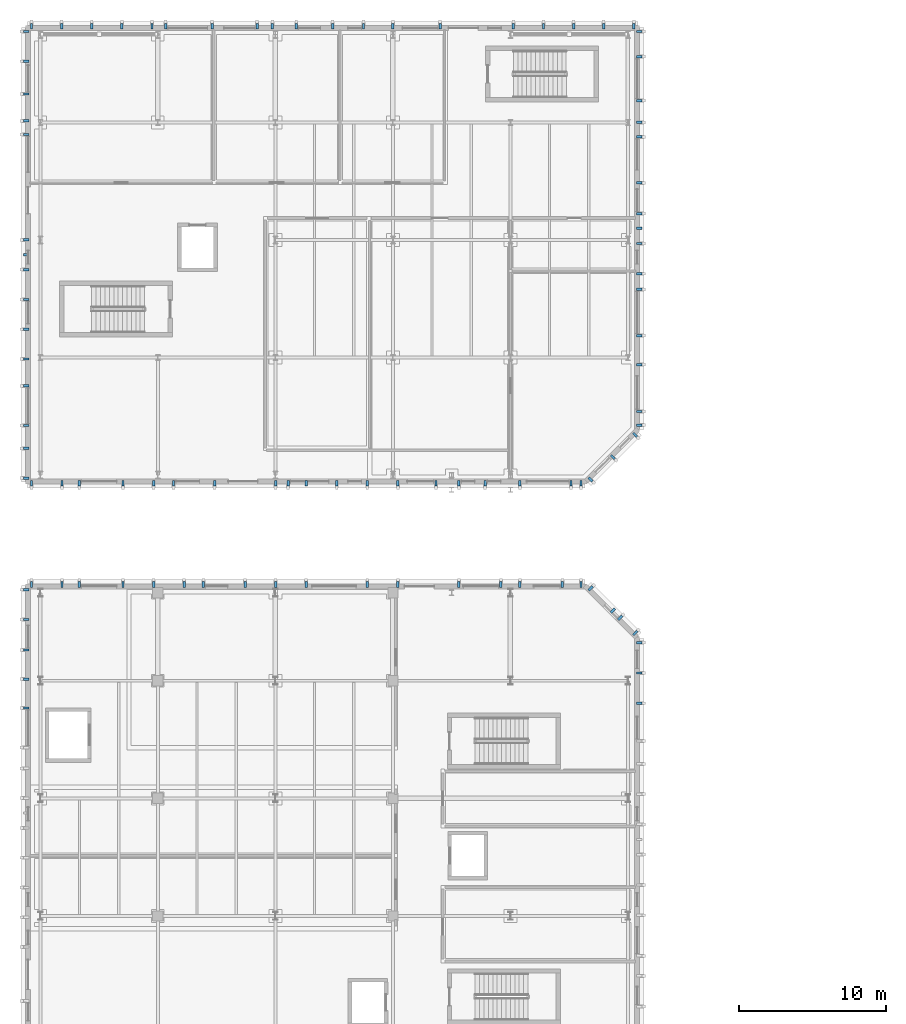
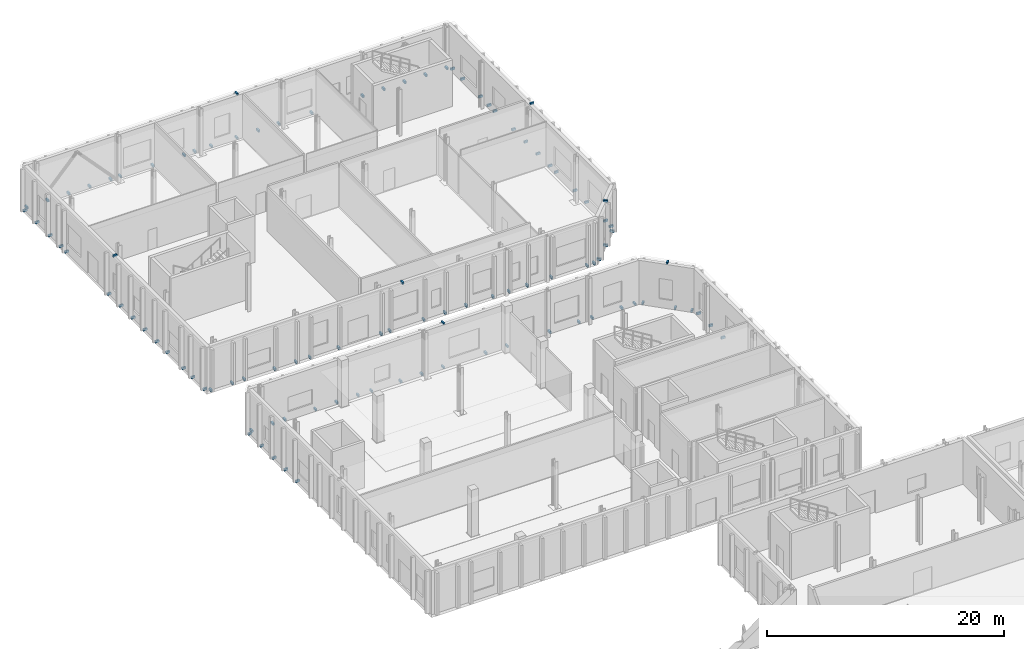
# One storey, part 38 of 60: 103 discrete accessories.
"""IFC4 building model written with IfcOpenShell, lengths in metres."""

import ifcopenshell
import ifcopenshell.guid

model = None  # the IFC model being written
_history = None  # IfcOwnerHistory: only IFC2X3 demands one
_inside = {}  # id of a spatial element -> (the spatial element, [elements in it])
_under = {}  # id of a project, library or spatial element -> (it, [spatial elements below it])
_declared = {}  # id of a project -> (the project, [libraries it declares])
_typed = {}  # id of a type object -> (the type object, [elements of that type])
_made_of = {}  # id of a material, layer set ... -> (it, [elements and type objects made of it])


def new_model(schema):
    """Start an empty IFC model of exactly this schema.

    Asked for "IFC4X3", IfcOpenShell would pick the latest addendum, in which some entities
    have other attributes; the version numbers below select the first issue.
    IFC2X3 requires an IfcOwnerHistory on every rooted entity: one is made here for all.
    """
    global model, _history
    if schema == "IFC4X3":
        model = ifcopenshell.file(schema_version=(4, 3, 0, 0))
    else:
        model = ifcopenshell.file(schema=schema)
    _inside.clear()
    _under.clear()
    _declared.clear()
    _typed.clear()
    _made_of.clear()
    _history = None
    if model.schema == "IFC2X3":
        org = make("IfcOrganization", Name="unknown")
        user = make(
            "IfcPersonAndOrganization",
            ThePerson=make("IfcPerson", FamilyName="unknown"),
            TheOrganization=org,
        )
        app = make(
            "IfcApplication",
            ApplicationDeveloper=org,
            Version="unknown",
            ApplicationFullName="unknown",
            ApplicationIdentifier="unknown",
        )
        _history = make(
            "IfcOwnerHistory",
            OwningUser=user,
            OwningApplication=app,
            ChangeAction="ADDED",
            CreationDate=0,
        )
    return model


def make(cls, **values):
    """One entity of the class cls with the attributes given. An attribute that is None is left unset."""
    return model.create_entity(
        cls, **{name: value for name, value in values.items() if value is not None}
    )


def rooted(cls, **values):
    """An entity with a GlobalId (a new one), such as an element, a storey or a relation."""
    return make(cls, GlobalId=ifcopenshell.guid.new(), OwnerHistory=_history, **values)


def si_unit(unit_type, name, prefix=None):
    """IfcSIUnit, for example si_unit("LENGTHUNIT", "METRE", prefix="MILLI")."""
    return make("IfcSIUnit", UnitType=unit_type, Prefix=prefix, Name=name)


def assignment(units):
    """IfcUnitAssignment: the units of a project."""
    return None if units is None else make("IfcUnitAssignment", Units=units)


def point(xyz):
    """IfcCartesianPoint."""
    return None if xyz is None else make("IfcCartesianPoint", Coordinates=xyz)


def direction(xyz):
    """IfcDirection."""
    return None if xyz is None else make("IfcDirection", DirectionRatios=xyz)


def frame(location, z_axis=None, x_axis=None):
    """IfcAxis2Placement3D, a coordinate frame: its origin and axes. An axis left out is left unset."""
    return make(
        "IfcAxis2Placement3D",
        Location=point(location),
        Axis=direction(z_axis),
        RefDirection=direction(x_axis),
    )


def frame_2d(location, x_axis=None):
    """IfcAxis2Placement2D, a coordinate frame in the plane: its origin and x axis."""
    return make(
        "IfcAxis2Placement2D", Location=point(location), RefDirection=direction(x_axis)
    )


def origin():
    """The frame at (0, 0, 0) with its axes left unset."""
    return frame((0.0, 0.0, 0.0))


def origin_2d():
    """The frame at (0, 0) in the plane with its x axis left unset."""
    return frame_2d((0.0, 0.0))


def place(relative_to, where):
    """IfcLocalPlacement: puts the frame where relative to a parent placement (None: the world)."""
    return make(
        "IfcLocalPlacement", PlacementRelTo=relative_to, RelativePlacement=where
    )


def context(
    kind, dimensions, precision=None, world=None, true_north=None, identifier=None
):
    """IfcGeometricRepresentationContext, for example the 3D "Model" context."""
    return make(
        "IfcGeometricRepresentationContext",
        ContextIdentifier=identifier,
        ContextType=kind,
        CoordinateSpaceDimension=dimensions,
        Precision=precision,
        WorldCoordinateSystem=world,
        TrueNorth=true_north,
    )


def subcontext(parent, identifier, kind, view, scale=None):
    """IfcGeometricRepresentationSubContext, for example "Body" below "Model"."""
    return make(
        "IfcGeometricRepresentationSubContext",
        ContextIdentifier=identifier,
        ContextType=kind,
        ParentContext=parent,
        TargetScale=scale,
        TargetView=view,
    )


def project(units=None, contexts=None):
    """IfcProject with its units and contexts."""
    return rooted(
        "IfcProject",
        Name="project",
        RepresentationContexts=contexts,
        UnitsInContext=assignment(units),
    )


def spatial(cls, under=None, at=None, **own):
    """A site, building, storey or space (cls), placed at a placement, below another one or the project."""
    s = rooted(cls, ObjectPlacement=at, **own)
    if under is not None:
        _under.setdefault(under.id(), (under, []))[1].append(s)
    return s


def profile(cls, at=None, kind="AREA", **sizes):
    """A parametric profile (cls). Its sizes go by their IFC names, for example OverallWidth=200.0."""
    return make(cls, ProfileType=kind, Position=at, **sizes)


def rectangle(**sizes):
    """IfcRectangleProfileDef."""
    return profile("IfcRectangleProfileDef", **sizes)


def extrude(swept, where, along, depth):
    """IfcExtrudedAreaSolid: the profile swept, set in the frame where, extruded along a direction by depth."""
    return make(
        "IfcExtrudedAreaSolid",
        SweptArea=swept,
        Position=where,
        ExtrudedDirection=direction(along),
        Depth=depth,
    )


def shape(context_of_items, identifier, shape_type, items):
    """IfcShapeRepresentation: the items that make up one representation, for example the "Body"."""
    return make(
        "IfcShapeRepresentation",
        ContextOfItems=context_of_items,
        RepresentationIdentifier=identifier,
        RepresentationType=shape_type,
        Items=items,
    )


def material(Name=None, Category=None):
    """IfcMaterial."""
    return make("IfcMaterial", Name=Name, Category=Category)


def made_of(thing, what):
    """Note that an element or type object is made of a material, layer set ...; save() writes the relation."""
    if what is not None:
        _made_of.setdefault(what.id(), (what, []))[1].append(thing)
    return thing


def type_object(cls, material=None, **own):
    """A type object (cls), such as IfcWallType, which elements share."""
    return made_of(rooted(cls, **own), material)


def element(
    cls,
    number,
    at=None,
    inside=None,
    cuts=None,
    type_object=None,
    material=None,
    context=None,
    identifier="Body",
    shape_type=None,
    held_by="IfcProductDefinitionShape",
    body=None,
    shapes=None,
    **own,
):
    """One element of the class cls, such as IfcWall. Its Tag is "e" and its number.

    at: its placement. inside: the storey or other place that contains it. cuts: it is an
    opening in that element (IfcRelVoidsElement). A single representation is given by context,
    identifier, shape_type and body (its items); several are given by shapes. held_by: the class
    of the entity that holds the representations. save() writes the other relations.
    """
    e = rooted(cls, Tag="e%d" % number, ObjectPlacement=at, **own)
    if body is not None:
        shapes = [shape(context, identifier, shape_type, body)]
    if shapes is not None:
        e.Representation = make(held_by, Representations=shapes)
    if inside is not None:
        _inside.setdefault(inside.id(), (inside, []))[1].append(e)
    if cuts is not None:
        rooted(
            "IfcRelVoidsElement", RelatingBuildingElement=cuts, RelatedOpeningElement=e
        )
    if type_object is not None:
        _typed.setdefault(type_object.id(), (type_object, []))[1].append(e)
    return made_of(e, material)


def aggregate(whole, parts):
    """IfcRelAggregates: a whole, such as a stair, and the parts it consists of."""
    return rooted("IfcRelAggregates", RelatingObject=whole, RelatedObjects=parts)


def save(model, path):
    """Write the relations noted so far, then the file.

    IfcRelAggregates (storeys below a building ...), IfcRelContainedInSpatialStructure (elements
    in a storey), IfcRelDefinesByType, IfcRelAssociatesMaterial and IfcRelDeclares: one each for
    every whole, place, type object, material and project.
    """
    for whole, parts in _under.values():
        aggregate(whole, parts)
    for where, things in _inside.values():
        rooted(
            "IfcRelContainedInSpatialStructure",
            RelatedElements=things,
            RelatingStructure=where,
        )
    for kind, things in _typed.values():
        rooted("IfcRelDefinesByType", RelatedObjects=things, RelatingType=kind)
    for what, things in _made_of.values():
        rooted("IfcRelAssociatesMaterial", RelatedObjects=things, RelatingMaterial=what)
    for by, libraries in _declared.values():
        rooted("IfcRelDeclares", RelatingContext=by, RelatedDefinitions=libraries)
    model.write(path)


model = new_model("IFC4")

# Units and contexts
model_context = context("Model", 3, precision=1e-05, world=origin(), true_north=direction((0.0, 1.0)))
body_context = subcontext(model_context, "Body", "Model", "MODEL_VIEW")
ifc_project = project(units=[si_unit("LENGTHUNIT", "METRE"), si_unit("AREAUNIT", "SQUARE_METRE"), si_unit("VOLUMEUNIT", "CUBIC_METRE"), si_unit("PLANEANGLEUNIT", "RADIAN"), si_unit("MASSUNIT", "GRAM", prefix="KILO")], contexts=[model_context])

# Site, building, storey
site_placement = place(None, origin())
site = spatial("IfcSite", under=ifc_project, at=site_placement, CompositionType="ELEMENT")
building_placement = place(site_placement, origin())
building = spatial("IfcBuilding", under=site, at=building_placement, Name="Cymarion Research Institute", CompositionType="ELEMENT")
storey_placement = place(building_placement, origin())
storey = spatial("IfcBuildingStorey", under=building, at=storey_placement, Name="L00", CompositionType="ELEMENT", Elevation=0.0)

# Discrete accessories
ifc_material = material(Name="Steel S355", Category="steel")
discrete_accessory_type = type_object("IfcDiscreteAccessoryType", Name="STAINLESS STEEL FACADE FIN BRACKET FBK1", PredefinedType="BRACKET", material=ifc_material)
for number, where, z_axis, x_axis, name in (
    (1, (47.360107421875, 69.976806640625, -0.08984375), (0.0, 0.0, 1.0), (1.0, 0.0, 0.0), "L00 V4 vertical rib anchor bracket #104"),
    (2, (47.360107421875, 72.03857421875, -0.08984375), (0.0, 0.0, 1.0), (1.0, 0.0, 0.0), "L00 V4 vertical rib anchor bracket #105"),
    (3, (47.360107421875, 74.10009765625, -0.08984375), (0.0, 0.0, 1.0), (1.0, 0.0, 0.0), "L00 V4 vertical rib anchor bracket #106"),
):
    element("IfcDiscreteAccessory", number, at=place(storey_placement, frame(where, z_axis=z_axis, x_axis=x_axis)), inside=storey, type_object=discrete_accessory_type, Name=name, PredefinedType="BRACKET", context=body_context, shape_type="SweptSolid", body=[
        extrude(rectangle(XDim=0.3798828125, YDim=0.159912109375, at=origin_2d()), origin(), (0.0, 0.0, 1.0), 0.219970703125),
    ])
discrete_accessory_1_placement = place(storey_placement, frame((45.57177734375, 76.271728515625, 4.47021484375), z_axis=(0.0, 0.0, 1.0), x_axis=(0.707106781187, 0.707106781187, 0.0)))
element("IfcDiscreteAccessory", 4, at=discrete_accessory_1_placement, inside=storey, type_object=discrete_accessory_type, Name="L00 V4 spandrel brow anchor bracket #107", PredefinedType="BRACKET", context=body_context, shape_type="SweptSolid", body=[
    extrude(rectangle(XDim=0.3798828125, YDim=0.159912109375, at=origin_2d()), origin(), (0.0, 0.0, 1.0), 0.199951171875),
])
for number, where, z_axis, x_axis, name in (
    (5, (47.0888671875, 74.754638671875, -0.08984375), (0.0, 0.0, 1.0), (0.707106781187, 0.707106781187, 0.0), "L00 V4 vertical rib anchor bracket #108"),
    (6, (46.058837890625, 75.78466796875, -0.08984375), (0.0, 0.0, 1.0), (0.707106781187, 0.707106781187, 0.0), "L00 V4 vertical rib anchor bracket #109"),
    (7, (44.054443359375, 77.788818359375, -0.08984375), (0.0, 0.0, 1.0), (0.707106781187, 0.707106781187, 0.0), "L00 V4 vertical rib anchor bracket #110"),
):
    element("IfcDiscreteAccessory", number, at=place(storey_placement, frame(where, z_axis=z_axis, x_axis=x_axis)), inside=storey, type_object=discrete_accessory_type, Name=name, PredefinedType="BRACKET", context=body_context, shape_type="SweptSolid", body=[
        extrude(rectangle(XDim=0.3798828125, YDim=0.159912109375, at=origin_2d()), origin(), (0.0, 0.0, 1.0), 0.219970703125),
    ])
discrete_accessory_2_placement = place(storey_placement, frame((24.699951171875, 78.06005859375, 4.47021484375), z_axis=(0.0, 0.0, 1.0), x_axis=(0.0, 1.0, 0.0)))
element("IfcDiscreteAccessory", 8, at=discrete_accessory_2_placement, inside=storey, type_object=discrete_accessory_type, Name="L00 V4 spandrel brow anchor bracket #111", PredefinedType="BRACKET", context=body_context, shape_type="SweptSolid", body=[
    extrude(rectangle(XDim=0.3798828125, YDim=0.159912109375, at=origin_2d()), origin(), (0.0, 0.0, 1.0), 0.199951171875),
])
for number, where, z_axis, x_axis, name in (
    (9, (43.39990234375, 78.06005859375, -0.08984375), (0.0, 0.0, 1.0), (0.0, 1.0, 0.0), "L00 V4 vertical rib anchor bracket #112"),
    (10, (42.13818359375, 78.06005859375, -0.08984375), (0.0, 0.0, 1.0), (0.0, 1.0, 0.0), "L00 V4 vertical rib anchor bracket #113"),
    (11, (39.244384765625, 78.06005859375, -0.08984375), (0.0, 0.0, 1.0), (0.0, 1.0, 0.0), "L00 V4 vertical rib anchor bracket #114"),
    (12, (37.9501953125, 78.06005859375, -0.08984375), (0.0, 0.0, 1.0), (0.0, 1.0, 0.0), "L00 V4 vertical rib anchor bracket #115"),
    (13, (35.0888671875, 78.06005859375, -0.08984375), (0.0, 0.0, 1.0), (0.0, 1.0, 0.0), "L00 V4 vertical rib anchor bracket #116"),
    (14, (30.933349609375, 78.06005859375, -0.08984375), (0.0, 0.0, 1.0), (0.0, 1.0, 0.0), "L00 V4 vertical rib anchor bracket #117"),
    (15, (28.855712890625, 78.06005859375, -0.08984375), (0.0, 0.0, 1.0), (0.0, 1.0, 0.0), "L00 V4 vertical rib anchor bracket #118"),
    (16, (24.699951171875, 78.06005859375, -0.08984375), (0.0, 0.0, 1.0), (0.0, 1.0, 0.0), "L00 V4 vertical rib anchor bracket #119"),
    (17, (22.622314453125, 78.06005859375, -0.08984375), (0.0, 0.0, 1.0), (0.0, 1.0, 0.0), "L00 V4 vertical rib anchor bracket #120"),
    (18, (20.54443359375, 78.06005859375, -0.08984375), (0.0, 0.0, 1.0), (0.0, 1.0, 0.0), "L00 V4 vertical rib anchor bracket #121"),
    (19, (17.7001953125, 78.06005859375, -0.08984375), (0.0, 0.0, 1.0), (0.0, 1.0, 0.0), "L00 V4 vertical rib anchor bracket #122"),
    (20, (16.388916015625, 78.06005859375, -0.08984375), (0.0, 0.0, 1.0), (0.0, 1.0, 0.0), "L00 V4 vertical rib anchor bracket #123"),
    (21, (14.31103515625, 78.06005859375, -0.08984375), (0.0, 0.0, 1.0), (0.0, 1.0, 0.0), "L00 V4 vertical rib anchor bracket #124"),
    (22, (12.2333984375, 78.06005859375, -0.08984375), (0.0, 0.0, 1.0), (0.0, 1.0, 0.0), "L00 V4 vertical rib anchor bracket #125"),
    (23, (9.250244140625, 78.06005859375, -0.08984375), (0.0, 0.0, 1.0), (0.0, 1.0, 0.0), "L00 V4 vertical rib anchor bracket #126"),
    (24, (8.077880859375, 78.06005859375, -0.08984375), (0.0, 0.0, 1.0), (0.0, 1.0, 0.0), "L00 V4 vertical rib anchor bracket #127"),
    (25, (6.0, 78.06005859375, -0.08984375), (0.0, 0.0, 1.0), (0.0, 1.0, 0.0), "L00 V4 vertical rib anchor bracket #128"),
    (26, (5.639892578125, 77.699951171875, -0.08984375), (0.0, 0.0, 1.0), (-1.0, 0.0, 0.0), "L00 V4 vertical rib anchor bracket #130"),
    (27, (5.639892578125, 75.67333984375, -0.08984375), (0.0, 0.0, 1.0), (-1.0, 0.0, 0.0), "L00 V4 vertical rib anchor bracket #131"),
    (28, (5.639892578125, 73.60009765625, -0.08984375), (0.0, 0.0, 1.0), (-1.0, 0.0, 0.0), "L00 V4 vertical rib anchor bracket #132"),
    (29, (5.639892578125, 71.6201171875, -0.08984375), (0.0, 0.0, 1.0), (-1.0, 0.0, 0.0), "L00 V4 vertical rib anchor bracket #133"),
    (30, (5.639892578125, 69.655029296875, -0.08984375), (0.0, 0.0, 1.0), (-1.0, 0.0, 0.0), "L00 V4 vertical rib anchor bracket #134"),
):
    element("IfcDiscreteAccessory", number, at=place(storey_placement, frame(where, z_axis=z_axis, x_axis=x_axis)), inside=storey, type_object=discrete_accessory_type, Name=name, PredefinedType="BRACKET", context=body_context, shape_type="SweptSolid", body=[
        extrude(rectangle(XDim=0.3798828125, YDim=0.159912109375, at=origin_2d()), origin(), (0.0, 0.0, 1.0), 0.219970703125),
    ])
discrete_accessory_3_placement = place(storey_placement, frame((24.699951171875, 84.93994140625, 4.47021484375), z_axis=(0.0, 0.0, 1.0), x_axis=(0.0, -1.0, 0.0)))
element("IfcDiscreteAccessory", 31, at=discrete_accessory_3_placement, inside=storey, type_object=discrete_accessory_type, Name="L00 V5 spandrel brow anchor bracket #145", PredefinedType="BRACKET", context=body_context, shape_type="SweptSolid", body=[
    extrude(rectangle(XDim=0.3798828125, YDim=0.159912109375, at=origin_2d()), origin(), (0.0, 0.0, 1.0), 0.199951171875),
])
for number, where, z_axis, x_axis, name in (
    (32, (6.0, 84.93994140625, -0.08984375), (0.0, 0.0, 1.0), (0.0, -1.0, 0.0), "L00 V5 vertical rib anchor bracket #146"),
    (33, (8.077880859375, 84.93994140625, -0.08984375), (0.0, 0.0, 1.0), (0.0, -1.0, 0.0), "L00 V5 vertical rib anchor bracket #147"),
    (34, (9.25, 84.93994140625, -0.08984375), (0.0, 0.0, 1.0), (0.0, -1.0, 0.0), "L00 V5 vertical rib anchor bracket #148"),
    (35, (12.2333984375, 84.93994140625, -0.08984375), (0.0, 0.0, 1.0), (0.0, -1.0, 0.0), "L00 V5 vertical rib anchor bracket #149"),
    (36, (14.31103515625, 84.93994140625, -0.08984375), (0.0, 0.0, 1.0), (0.0, -1.0, 0.0), "L00 V5 vertical rib anchor bracket #150"),
    (37, (15.669921875, 84.93994140625, -0.08984375), (0.0, 0.0, 1.0), (0.0, -1.0, 0.0), "L00 V5 vertical rib anchor bracket #151"),
    (38, (18.466796875, 84.93994140625, -0.08984375), (0.0, 0.0, 1.0), (0.0, -1.0, 0.0), "L00 V5 vertical rib anchor bracket #152"),
    (39, (22.622314453125, 84.93994140625, -0.08984375), (0.0, 0.0, 1.0), (0.0, -1.0, 0.0), "L00 V5 vertical rib anchor bracket #153"),
    (40, (23.469970703125, 84.93994140625, -0.08984375), (0.0, 0.0, 1.0), (0.0, -1.0, 0.0), "L00 V5 vertical rib anchor bracket #154"),
    (41, (26.77783203125, 84.93994140625, -0.08984375), (0.0, 0.0, 1.0), (0.0, -1.0, 0.0), "L00 V5 vertical rib anchor bracket #155"),
    (42, (28.855712890625, 84.93994140625, -0.08984375), (0.0, 0.0, 1.0), (0.0, -1.0, 0.0), "L00 V5 vertical rib anchor bracket #156"),
    (43, (30.933349609375, 84.93994140625, -0.08984375), (0.0, 0.0, 1.0), (0.0, -1.0, 0.0), "L00 V5 vertical rib anchor bracket #157"),
    (44, (33.530029296875, 84.93994140625, -0.08984375), (0.0, 0.0, 1.0), (0.0, -1.0, 0.0), "L00 V5 vertical rib anchor bracket #158"),
    (45, (35.0888671875, 84.93994140625, -0.08984375), (0.0, 0.0, 1.0), (0.0, -1.0, 0.0), "L00 V5 vertical rib anchor bracket #159"),
    (46, (36.8798828125, 84.93994140625, -0.08984375), (0.0, 0.0, 1.0), (0.0, -1.0, 0.0), "L00 V5 vertical rib anchor bracket #160"),
    (47, (39.244384765625, 84.93994140625, -0.08984375), (0.0, 0.0, 1.0), (0.0, -1.0, 0.0), "L00 V5 vertical rib anchor bracket #161"),
    (48, (42.72509765625, 84.93994140625, -0.08984375), (0.0, 0.0, 1.0), (0.0, -1.0, 0.0), "L00 V5 vertical rib anchor bracket #162"),
    (49, (43.39990234375, 84.93994140625, -0.08984375), (0.0, 0.0, 1.0), (0.0, -1.0, 0.0), "L00 V5 vertical rib anchor bracket #163"),
):
    element("IfcDiscreteAccessory", number, at=place(storey_placement, frame(where, z_axis=z_axis, x_axis=x_axis)), inside=storey, type_object=discrete_accessory_type, Name=name, PredefinedType="BRACKET", context=body_context, shape_type="SweptSolid", body=[
        extrude(rectangle(XDim=0.3798828125, YDim=0.159912109375, at=origin_2d()), origin(), (0.0, 0.0, 1.0), 0.219970703125),
    ])
discrete_accessory_4_placement = place(storey_placement, frame((45.57177734375, 86.728271484375, 4.47021484375), z_axis=(0.0, 0.0, 1.0), x_axis=(0.707106781187, -0.707106781187, 0.0)))
element("IfcDiscreteAccessory", 50, at=discrete_accessory_4_placement, inside=storey, type_object=discrete_accessory_type, Name="L00 V5 spandrel brow anchor bracket #164", PredefinedType="BRACKET", context=body_context, shape_type="SweptSolid", body=[
    extrude(rectangle(XDim=0.3798828125, YDim=0.159912109375, at=origin_2d()), origin(), (0.0, 0.0, 1.0), 0.199951171875),
])
for number, where, z_axis, x_axis, name in (
    (51, (44.0546875, 85.211181640625, -0.08984375), (0.0, 0.0, 1.0), (0.707106781187, -0.707106781187, 0.0), "L00 V5 vertical rib anchor bracket #165"),
    (52, (45.57177734375, 86.728271484375, -0.08984375), (0.0, 0.0, 1.0), (0.707106781187, -0.707106781187, 0.0), "L00 V5 vertical rib anchor bracket #166"),
    (53, (47.0888671875, 88.24560546875, -0.08984375), (0.0, 0.0, 1.0), (0.707106781187, -0.707106781187, 0.0), "L00 V5 vertical rib anchor bracket #167"),
):
    element("IfcDiscreteAccessory", number, at=place(storey_placement, frame(where, z_axis=z_axis, x_axis=x_axis)), inside=storey, type_object=discrete_accessory_type, Name=name, PredefinedType="BRACKET", context=body_context, shape_type="SweptSolid", body=[
        extrude(rectangle(XDim=0.3798828125, YDim=0.159912109375, at=origin_2d()), origin(), (0.0, 0.0, 1.0), 0.219970703125),
    ])
discrete_accessory_5_placement = place(storey_placement, frame((47.360107421875, 102.300048828125, 4.47021484375), z_axis=(0.0, 0.0, 1.0), x_axis=(1.0, 0.0, 0.0)))
element("IfcDiscreteAccessory", 54, at=discrete_accessory_5_placement, inside=storey, type_object=discrete_accessory_type, Name="L00 V5 spandrel brow anchor bracket #168", PredefinedType="BRACKET", context=body_context, shape_type="SweptSolid", body=[
    extrude(rectangle(XDim=0.3798828125, YDim=0.159912109375, at=origin_2d()), origin(), (0.0, 0.0, 1.0), 0.199951171875),
])
for number, where, z_axis, x_axis, name in (
    (55, (47.360107421875, 88.89990234375, -0.08984375), (0.0, 0.0, 1.0), (1.0, 0.0, 0.0), "L00 V5 vertical rib anchor bracket #169"),
    (56, (47.360107421875, 89.8369140625, -0.08984375), (0.0, 0.0, 1.0), (1.0, 0.0, 0.0), "L00 V5 vertical rib anchor bracket #170"),
    (57, (47.360107421875, 93.023193359375, -0.08984375), (0.0, 0.0, 1.0), (1.0, 0.0, 0.0), "L00 V5 vertical rib anchor bracket #171"),
    (58, (47.360107421875, 94.994873046875, -0.08984375), (0.0, 0.0, 1.0), (1.0, 0.0, 0.0), "L00 V5 vertical rib anchor bracket #172"),
    (59, (47.360107421875, 98.144775390625, -0.08984375), (0.0, 0.0, 1.0), (1.0, 0.0, 0.0), "L00 V5 vertical rib anchor bracket #173"),
    (60, (47.360107421875, 99.207763671875, -0.08984375), (0.0, 0.0, 1.0), (1.0, 0.0, 0.0), "L00 V5 vertical rib anchor bracket #174"),
    (61, (47.360107421875, 101.269287109375, -0.08984375), (0.0, 0.0, 1.0), (1.0, 0.0, 0.0), "L00 V5 vertical rib anchor bracket #175"),
    (62, (47.360107421875, 103.2998046875, -0.08984375), (0.0, 0.0, 1.0), (1.0, 0.0, 0.0), "L00 V5 vertical rib anchor bracket #176"),
    (63, (47.360107421875, 105.392333984375, -0.08984375), (0.0, 0.0, 1.0), (1.0, 0.0, 0.0), "L00 V5 vertical rib anchor bracket #177"),
    (64, (47.360107421875, 108.52978515625, -0.08984375), (0.0, 0.0, 1.0), (1.0, 0.0, 0.0), "L00 V5 vertical rib anchor bracket #178"),
    (65, (47.360107421875, 109.515380859375, -0.08984375), (0.0, 0.0, 1.0), (1.0, 0.0, 0.0), "L00 V5 vertical rib anchor bracket #179"),
    (66, (47.360107421875, 110.98974609375, -0.08984375), (0.0, 0.0, 1.0), (1.0, 0.0, 0.0), "L00 V5 vertical rib anchor bracket #180"),
    (67, (47.360107421875, 113.98974609375, -0.08984375), (0.0, 0.0, 1.0), (1.0, 0.0, 0.0), "L00 V5 vertical rib anchor bracket #181"),
    (68, (47.360107421875, 115.699951171875, -0.08984375), (0.0, 0.0, 1.0), (1.0, 0.0, 0.0), "L00 V5 vertical rib anchor bracket #182"),
):
    element("IfcDiscreteAccessory", number, at=place(storey_placement, frame(where, z_axis=z_axis, x_axis=x_axis)), inside=storey, type_object=discrete_accessory_type, Name=name, PredefinedType="BRACKET", context=body_context, shape_type="SweptSolid", body=[
        extrude(rectangle(XDim=0.3798828125, YDim=0.159912109375, at=origin_2d()), origin(), (0.0, 0.0, 1.0), 0.219970703125),
    ])
discrete_accessory_6_placement = place(storey_placement, frame((26.5, 116.06005859375, 4.47021484375), z_axis=(0.0, 0.0, 1.0), x_axis=(0.0, 1.0, 0.0)))
element("IfcDiscreteAccessory", 69, at=discrete_accessory_6_placement, inside=storey, type_object=discrete_accessory_type, Name="L00 V5 spandrel brow anchor bracket #183", PredefinedType="BRACKET", context=body_context, shape_type="SweptSolid", body=[
    extrude(rectangle(XDim=0.3798828125, YDim=0.159912109375, at=origin_2d()), origin(), (0.0, 0.0, 1.0), 0.199951171875),
])
for number, where, z_axis, x_axis, name in (
    (70, (47.0, 116.06005859375, -0.08984375), (0.0, 0.0, 1.0), (0.0, 1.0, 0.0), "L00 V5 vertical rib anchor bracket #184"),
    (71, (44.949951171875, 116.06005859375, -0.08984375), (0.0, 0.0, 1.0), (0.0, 1.0, 0.0), "L00 V5 vertical rib anchor bracket #185"),
    (72, (42.89990234375, 116.06005859375, -0.08984375), (0.0, 0.0, 1.0), (0.0, 1.0, 0.0), "L00 V5 vertical rib anchor bracket #186"),
    (73, (40.85009765625, 116.06005859375, -0.08984375), (0.0, 0.0, 1.0), (0.0, 1.0, 0.0), "L00 V5 vertical rib anchor bracket #187"),
    (74, (38.800048828125, 116.06005859375, -0.08984375), (0.0, 0.0, 1.0), (0.0, 1.0, 0.0), "L00 V5 vertical rib anchor bracket #188"),
    (75, (33.81494140625, 116.06005859375, -0.08984375), (0.0, 0.0, 1.0), (0.0, 1.0, 0.0), "L00 V5 vertical rib anchor bracket #189"),
    (76, (30.60009765625, 116.06005859375, -0.08984375), (0.0, 0.0, 1.0), (0.0, 1.0, 0.0), "L00 V5 vertical rib anchor bracket #190"),
    (77, (28.60009765625, 116.06005859375, -0.08984375), (0.0, 0.0, 1.0), (0.0, 1.0, 0.0), "L00 V5 vertical rib anchor bracket #191"),
    (78, (26.5, 116.06005859375, -0.08984375), (0.0, 0.0, 1.0), (0.0, 1.0, 0.0), "L00 V5 vertical rib anchor bracket #192"),
    (79, (24.02001953125, 116.06005859375, -0.08984375), (0.0, 0.0, 1.0), (0.0, 1.0, 0.0), "L00 V5 vertical rib anchor bracket #193"),
    (80, (22.39990234375, 116.06005859375, -0.08984375), (0.0, 0.0, 1.0), (0.0, 1.0, 0.0), "L00 V5 vertical rib anchor bracket #194"),
    (81, (21.360107421875, 116.06005859375, -0.08984375), (0.0, 0.0, 1.0), (0.0, 1.0, 0.0), "L00 V5 vertical rib anchor bracket #195"),
    (82, (18.300048828125, 116.06005859375, -0.08984375), (0.0, 0.0, 1.0), (0.0, 1.0, 0.0), "L00 V5 vertical rib anchor bracket #196"),
    (83, (15.1298828125, 116.06005859375, -0.08984375), (0.0, 0.0, 1.0), (0.0, 1.0, 0.0), "L00 V5 vertical rib anchor bracket #197"),
    (84, (14.199951171875, 116.06005859375, -0.08984375), (0.0, 0.0, 1.0), (0.0, 1.0, 0.0), "L00 V5 vertical rib anchor bracket #198"),
    (85, (12.14990234375, 116.06005859375, -0.08984375), (0.0, 0.0, 1.0), (0.0, 1.0, 0.0), "L00 V5 vertical rib anchor bracket #199"),
    (86, (10.10009765625, 116.06005859375, -0.08984375), (0.0, 0.0, 1.0), (0.0, 1.0, 0.0), "L00 V5 vertical rib anchor bracket #200"),
    (87, (8.050048828125, 116.06005859375, -0.08984375), (0.0, 0.0, 1.0), (0.0, 1.0, 0.0), "L00 V5 vertical rib anchor bracket #201"),
    (88, (6.0, 116.06005859375, -0.08984375), (0.0, 0.0, 1.0), (0.0, 1.0, 0.0), "L00 V5 vertical rib anchor bracket #202"),
):
    element("IfcDiscreteAccessory", number, at=place(storey_placement, frame(where, z_axis=z_axis, x_axis=x_axis)), inside=storey, type_object=discrete_accessory_type, Name=name, PredefinedType="BRACKET", context=body_context, shape_type="SweptSolid", body=[
        extrude(rectangle(XDim=0.3798828125, YDim=0.159912109375, at=origin_2d()), origin(), (0.0, 0.0, 1.0), 0.219970703125),
    ])
discrete_accessory_7_placement = place(storey_placement, frame((5.639892578125, 100.5, 4.47021484375), z_axis=(0.0, 0.0, 1.0), x_axis=(-1.0, 0.0, 0.0)))
element("IfcDiscreteAccessory", 89, at=discrete_accessory_7_placement, inside=storey, type_object=discrete_accessory_type, Name="L00 V5 spandrel brow anchor bracket #203", PredefinedType="BRACKET", context=body_context, shape_type="SweptSolid", body=[
    extrude(rectangle(XDim=0.3798828125, YDim=0.159912109375, at=origin_2d()), origin(), (0.0, 0.0, 1.0), 0.199951171875),
])
for number, where, z_axis, x_axis, name in (
    (90, (5.639892578125, 115.699951171875, -0.08984375), (0.0, 0.0, 1.0), (-1.0, 0.0, 0.0), "L00 V5 vertical rib anchor bracket #204"),
    (91, (5.639892578125, 113.67333984375, -0.08984375), (0.0, 0.0, 1.0), (-1.0, 0.0, 0.0), "L00 V5 vertical rib anchor bracket #205"),
    (92, (5.639892578125, 111.43994140625, -0.08984375), (0.0, 0.0, 1.0), (-1.0, 0.0, 0.0), "L00 V5 vertical rib anchor bracket #206"),
    (93, (5.639892578125, 109.6201171875, -0.08984375), (0.0, 0.0, 1.0), (-1.0, 0.0, 0.0), "L00 V5 vertical rib anchor bracket #207"),
    (94, (5.639892578125, 108.68505859375, -0.08984375), (0.0, 0.0, 1.0), (-1.0, 0.0, 0.0), "L00 V5 vertical rib anchor bracket #208"),
    (95, (5.639892578125, 101.51318359375, -0.08984375), (0.0, 0.0, 1.0), (-1.0, 0.0, 0.0), "L00 V5 vertical rib anchor bracket #209"),
    (96, (5.639892578125, 99.48681640625, -0.08984375), (0.0, 0.0, 1.0), (-1.0, 0.0, 0.0), "L00 V5 vertical rib anchor bracket #210"),
    (97, (5.639892578125, 97.4599609375, -0.08984375), (0.0, 0.0, 1.0), (-1.0, 0.0, 0.0), "L00 V5 vertical rib anchor bracket #211"),
    (98, (5.639892578125, 95.433349609375, -0.08984375), (0.0, 0.0, 1.0), (-1.0, 0.0, 0.0), "L00 V5 vertical rib anchor bracket #212"),
    (99, (5.639892578125, 93.40673828125, -0.08984375), (0.0, 0.0, 1.0), (-1.0, 0.0, 0.0), "L00 V5 vertical rib anchor bracket #213"),
    (100, (5.639892578125, 91.580078125, -0.08984375), (0.0, 0.0, 1.0), (-1.0, 0.0, 0.0), "L00 V5 vertical rib anchor bracket #214"),
    (101, (5.639892578125, 88.8798828125, -0.08984375), (0.0, 0.0, 1.0), (-1.0, 0.0, 0.0), "L00 V5 vertical rib anchor bracket #215"),
    (102, (5.639892578125, 87.32666015625, -0.08984375), (0.0, 0.0, 1.0), (-1.0, 0.0, 0.0), "L00 V5 vertical rib anchor bracket #216"),
    (103, (5.639892578125, 85.300048828125, -0.08984375), (0.0, 0.0, 1.0), (-1.0, 0.0, 0.0), "L00 V5 vertical rib anchor bracket #217"),
):
    element("IfcDiscreteAccessory", number, at=place(storey_placement, frame(where, z_axis=z_axis, x_axis=x_axis)), inside=storey, type_object=discrete_accessory_type, Name=name, PredefinedType="BRACKET", context=body_context, shape_type="SweptSolid", body=[
        extrude(rectangle(XDim=0.3798828125, YDim=0.159912109375, at=origin_2d()), origin(), (0.0, 0.0, 1.0), 0.219970703125),
    ])

save(model, "model.ifc")
